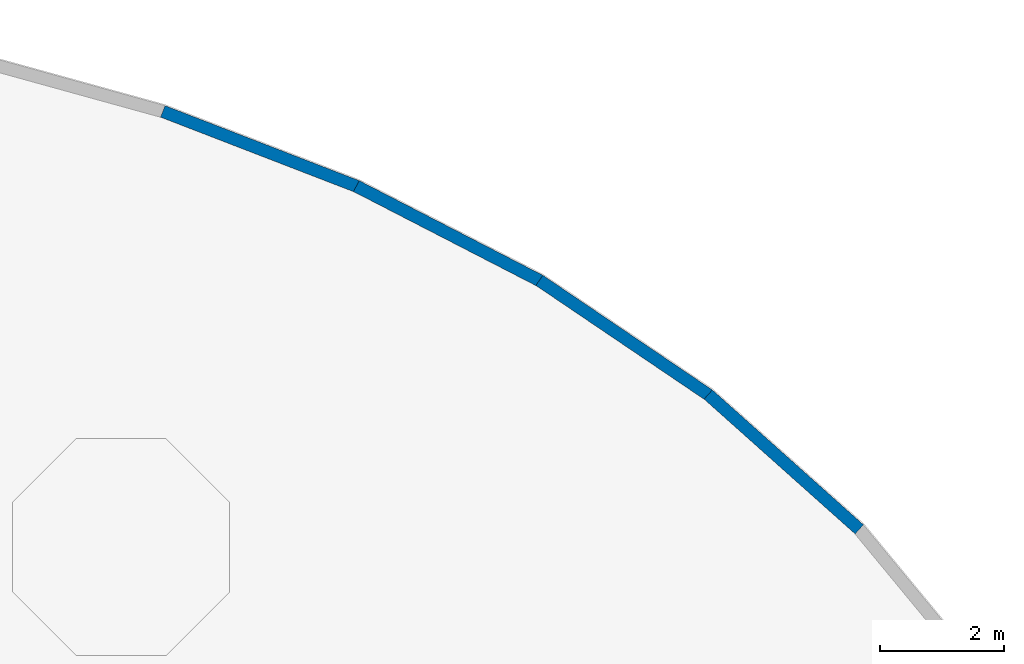
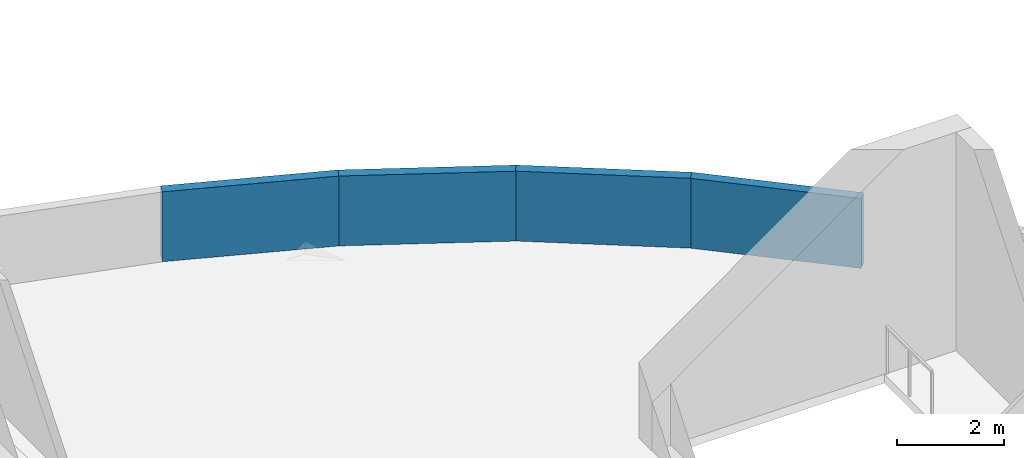
# One storey, part 4 of 7: 4 walls.
"""IFC4 building model written with IfcOpenShell, lengths in metres."""

from ifc_helpers import new_model, si_unit, direction, frame, frame_2d, origin, place, context, subcontext, project, spatial, rectangle, extrude, material, layer, layer_set, type_object, element, save


model = new_model("IFC4")

# Units and contexts
model_context = context("Model", 3, precision=1e-05, world=origin(), true_north=direction((0.0, 1.0)))
body_context = subcontext(model_context, "Body", "Model", "MODEL_VIEW")
ifc_project = project(units=[si_unit("LENGTHUNIT", "METRE"), si_unit("AREAUNIT", "SQUARE_METRE"), si_unit("VOLUMEUNIT", "CUBIC_METRE"), si_unit("PLANEANGLEUNIT", "RADIAN"), si_unit("MASSUNIT", "GRAM", prefix="KILO")], contexts=[model_context])

# Site, building, storey
site_placement = place(None, origin())
site = spatial("IfcSite", under=ifc_project, at=site_placement, CompositionType="ELEMENT")
building_placement = place(site_placement, origin())
building = spatial("IfcBuilding", under=site, at=building_placement, Name="Noorbagh Ring Tower", CompositionType="ELEMENT")
storey_placement = place(building_placement, frame((0.0, 0.0, 356.5)))
storey = spatial("IfcBuildingStorey", under=building, at=storey_placement, Name="L78", CompositionType="ELEMENT", Elevation=356.5)

# Walls
ifc_material = material(Name="Concrete C40/50", Category="concrete")
ifc_layer = layer(ifc_material, 0.199951171875)
ifc_layer_set = layer_set([ifc_layer], Name="Concrete C40/50")
wall_type = type_object("IfcWallType", Name="ENV-PARAPET", PredefinedType="PARAPET", material=ifc_layer_set)
wall_1_placement = place(storey_placement, frame((22.9482421875, 11.28759765625, 0.0), z_axis=(0.0, 0.0, 1.0), x_axis=(-0.746146424316, 0.66578188131, 0.0)))
element("IfcWall", 1, at=wall_1_placement, inside=storey, type_object=wall_type, Name="Head roof parapet chord 05", PredefinedType="PARAPET", context=body_context, shape_type="SweptSolid", body=[
    extrude(rectangle(XDim=3.27783203125, YDim=0.199951171875, at=frame_2d((1.638916015625, 0.0))), origin(), (0.0, 0.0, 1.0), 1.60009765625),
])
wall_2_placement = place(storey_placement, frame((20.51513671875, 13.460205078125, 0.0), z_axis=(0.0, 0.0, 1.0), x_axis=(-0.828292460288, 0.560295993409, 0.0)))
element("IfcWall", 2, at=wall_2_placement, inside=storey, type_object=wall_type, Name="Head roof parapet chord 06", PredefinedType="PARAPET", context=body_context, shape_type="SweptSolid", body=[
    extrude(rectangle(XDim=3.315185546875, YDim=0.199951171875, at=frame_2d((1.65771484375, 0.0))), origin(), (0.0, 0.0, 1.0), 1.60009765625),
])
wall_3_placement = place(storey_placement, frame((17.781494140625, 15.310302734375, 0.0), z_axis=(0.0, 0.0, 1.0), x_axis=(-0.888873733179, 0.458152252492, 0.0)))
element("IfcWall", 3, at=wall_3_placement, inside=storey, type_object=wall_type, Name="Head roof parapet chord 07", PredefinedType="PARAPET", context=body_context, shape_type="SweptSolid", body=[
    extrude(rectangle(XDim=3.346435546875, YDim=0.199951171875, at=frame_2d((1.67333984375, 0.0))), origin(), (0.0, 0.0, 1.0), 1.60009765625),
])
wall_4_placement = place(storey_placement, frame((14.818603515625, 16.838134765625, 0.0), z_axis=(0.0, 0.0, 1.0), x_axis=(-0.932846272734, 0.360274661121, 0.0)))
element("IfcWall", 4, at=wall_4_placement, inside=storey, type_object=wall_type, Name="Head roof parapet chord 08", PredefinedType="PARAPET", context=body_context, shape_type="SweptSolid", body=[
    extrude(rectangle(XDim=3.37060546875, YDim=0.199951171875, at=frame_2d((1.685302734375, 0.0))), origin(), (0.0, 0.0, 1.0), 1.60009765625),
])

save(model, "model.ifc")
